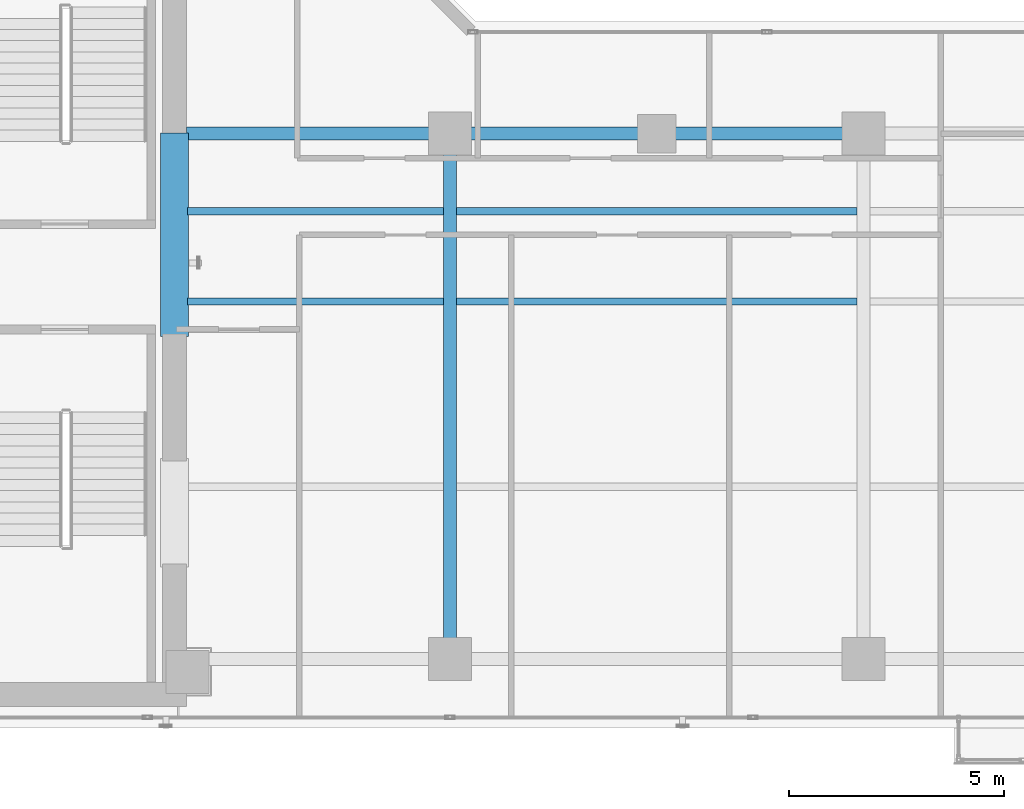
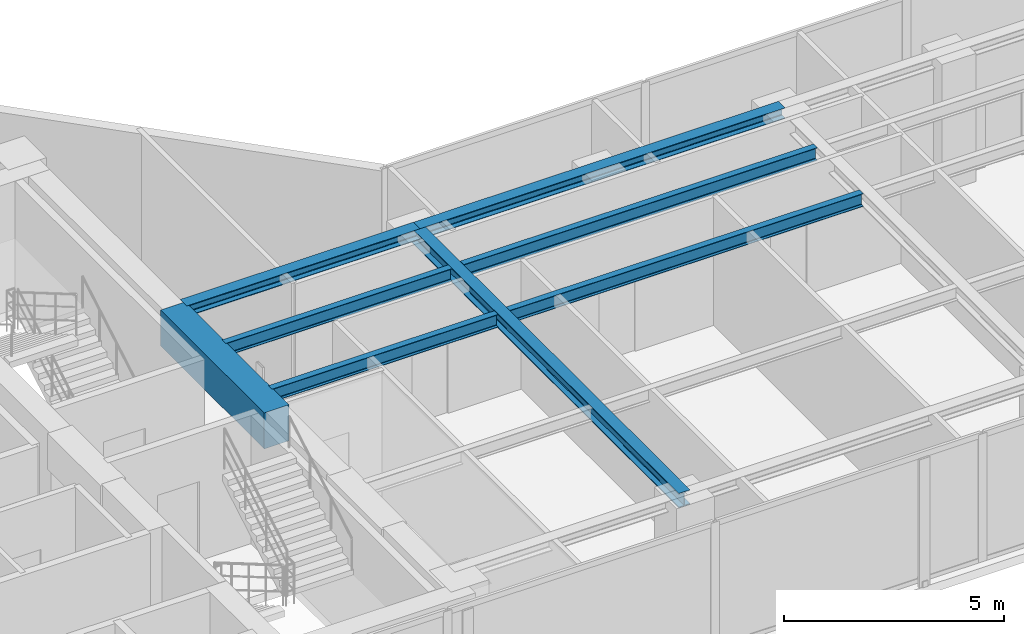
# One storey, part 5 of 23: 8 beams.
"""IFC4 building model written with IfcOpenShell, lengths in metres."""

from ifc_helpers import new_model, si_unit, direction, frame, origin, origin_2d, place, context, subcontext, project, spatial, rectangle, i_section, extrude, material, material_profile, profile_set, type_object, element, save


model = new_model("IFC4")

# Units and contexts
model_context = context("Model", 3, precision=1e-05, world=origin(), true_north=direction((0.0, 1.0)))
body_context = subcontext(model_context, "Body", "Model", "MODEL_VIEW")
ifc_project = project(units=[si_unit("LENGTHUNIT", "METRE"), si_unit("AREAUNIT", "SQUARE_METRE"), si_unit("VOLUMEUNIT", "CUBIC_METRE"), si_unit("PLANEANGLEUNIT", "RADIAN"), si_unit("MASSUNIT", "GRAM", prefix="KILO")], contexts=[model_context])

# Site, building, storey
site_placement = place(None, origin())
site = spatial("IfcSite", under=ifc_project, at=site_placement, CompositionType="ELEMENT")
building_placement = place(site_placement, origin())
building = spatial("IfcBuilding", under=site, at=building_placement, Name="Kolvaren Waterfront Exchange", CompositionType="ELEMENT")
storey_placement = place(building_placement, frame((0.0, 0.0, 212.10009765625)))
storey = spatial("IfcBuildingStorey", under=building, at=storey_placement, Name="L54", CompositionType="ELEMENT", Elevation=212.10009765625)

# Beams
ifc_material_1 = material(Name="Steel S355", Category="steel")
ifc_material_profile_1 = material_profile(ifc_material_1, i_section(OverallWidth=0.300048828125, OverallDepth=0.300048828125, WebThickness=0.010986328125, FlangeThickness=0.01904296875, FilletRadius=0.027099609375, at=origin_2d()), Name="HEB300")
ifc_profile_set_1 = profile_set([ifc_material_profile_1], Name="Steel S355")
beam_type_1 = type_object("IfcBeamType", Name="STR-BM-HEB300", PredefinedType="SPANDREL", material=ifc_profile_set_1)
beam_1_placement = place(storey_placement, frame((21.074951171875, 17.39990234375, 3.409912109375), z_axis=(1.0, 0.0, 0.0), x_axis=(0.0, 1.0, 0.0)))
element("IfcBeam", 1, at=beam_1_placement, inside=storey, type_object=beam_type_1, Name="L54 east-arm spandrel N1", PredefinedType="SPANDREL", context=body_context, shape_type="SweptSolid", body=[
    extrude(i_section(OverallWidth=0.300048828125, OverallDepth=0.300048828125, WebThickness=0.010986328125, FlangeThickness=0.01904296875, FilletRadius=0.027099609375, at=origin_2d()), origin(), (0.0, 0.0, 1.0), 6.125),
])
beam_2_placement = place(storey_placement, frame((27.199951171875, 17.39990234375, 3.409912109375), z_axis=(1.0, 0.0, 0.0), x_axis=(0.0, 1.0, 0.0)))
element("IfcBeam", 2, at=beam_2_placement, inside=storey, type_object=beam_type_1, Name="L54 east-arm spandrel N2", PredefinedType="SPANDREL", context=body_context, shape_type="SweptSolid", body=[
    extrude(i_section(OverallWidth=0.300048828125, OverallDepth=0.300048828125, WebThickness=0.010986328125, FlangeThickness=0.01904296875, FilletRadius=0.027099609375, at=origin_2d()), origin(), (0.0, 0.0, 1.0), 9.60009765625),
])
ifc_material_profile_2 = material_profile(ifc_material_1, i_section(OverallWidth=0.300048828125, OverallDepth=0.39990234375, WebThickness=0.013427734375, FlangeThickness=0.02392578125, FilletRadius=0.027099609375, at=origin_2d()), Name="HEB400")
ifc_profile_set_2 = profile_set([ifc_material_profile_2], Name="Steel S355")
beam_type_2 = type_object("IfcBeamType", Name="STR-BM-HEB400", PredefinedType="BEAM", material=ifc_profile_set_2)
beam_3_placement = place(storey_placement, frame((27.199951171875, 5.199951171875, 3.35986328125), z_axis=(0.0, 1.0, 0.0), x_axis=(-1.0, 0.0, 0.0)))
element("IfcBeam", 3, at=beam_3_placement, inside=storey, type_object=beam_type_2, Name="L54 east-arm transverse girder X27", PredefinedType="BEAM", context=body_context, shape_type="SweptSolid", body=[
    extrude(i_section(OverallWidth=0.300048828125, OverallDepth=0.39990234375, WebThickness=0.013427734375, FlangeThickness=0.02392578125, FilletRadius=0.027099609375, at=origin_2d()), origin(), (0.0, 0.0, 1.0), 12.199951171875),
])
ifc_material_profile_3 = material_profile(ifc_material_1, i_section(OverallWidth=0.169921875, OverallDepth=0.360107421875, WebThickness=0.008056640625, FlangeThickness=0.0126953125, FilletRadius=0.01806640625, at=origin_2d()), Name="IPE360")
ifc_profile_set_3 = profile_set([ifc_material_profile_3], Name="Steel S355")
beam_type_3 = type_object("IfcBeamType", Name="STR-BM-IPE360", PredefinedType="JOIST", material=ifc_profile_set_3)
for number, where, z_axis, x_axis, name in (
    (4, (21.10009765625, 13.5, 3.3798828125), (1.0, 0.0, 0.0), (0.0, 1.0, 0.0), "L54 east-arm composite joist 1A"),
    (5, (21.10009765625, 15.60009765625, 3.3798828125), (1.0, 0.0, 0.0), (0.0, 1.0, 0.0), "L54 east-arm composite joist 1C"),
):
    element("IfcBeam", number, at=place(storey_placement, frame(where, z_axis=z_axis, x_axis=x_axis)), inside=storey, type_object=beam_type_3, Name=name, PredefinedType="JOIST", context=body_context, shape_type="SweptSolid", body=[
        extrude(i_section(OverallWidth=0.169921875, OverallDepth=0.360107421875, WebThickness=0.008056640625, FlangeThickness=0.0126953125, FilletRadius=0.01806640625, at=origin_2d()), origin(), (0.0, 0.0, 1.0), 5.947998046875),
    ])
for number, where, z_axis, x_axis, name in (
    (6, (27.35205078125, 13.5, 3.3798828125), (1.0, 0.0, 0.0), (0.0, 1.0, 0.0), "L54 east-arm composite joist 2A"),
    (7, (27.35205078125, 15.60009765625, 3.3798828125), (1.0, 0.0, 0.0), (0.0, 1.0, 0.0), "L54 east-arm composite joist 2C"),
):
    element("IfcBeam", number, at=place(storey_placement, frame(where, z_axis=z_axis, x_axis=x_axis)), inside=storey, type_object=beam_type_3, Name=name, PredefinedType="JOIST", context=body_context, shape_type="SweptSolid", body=[
        extrude(i_section(OverallWidth=0.169921875, OverallDepth=0.360107421875, WebThickness=0.008056640625, FlangeThickness=0.0126953125, FilletRadius=0.01806640625, at=origin_2d()), origin(), (0.0, 0.0, 1.0), 9.2958984375),
    ])
ifc_material_2 = material(Name="Concrete C60/75", Category="concrete")
ifc_material_profile_4 = material_profile(ifc_material_2, rectangle(XDim=0.64990234375, YDim=1.0, at=origin_2d()), Name="RC-CB-1000x650")
ifc_profile_set_4 = profile_set([ifc_material_profile_4], Name="Concrete C60/75")
beam_type_4 = type_object("IfcBeamType", Name="STR-CB-1000", PredefinedType="SPANDREL", material=ifc_profile_set_4)
beam_4_placement = place(storey_placement, frame((20.800048828125, 12.68994140625, 3.059814453125), z_axis=(0.0, 1.0, 0.0), x_axis=(-1.0, 0.0, 0.0)))
element("IfcBeam", 8, at=beam_4_placement, inside=storey, type_object=beam_type_4, Name="L54 core coupling beam 2", PredefinedType="SPANDREL", context=body_context, shape_type="SweptSolid", body=[
    extrude(rectangle(XDim=0.64990234375, YDim=1.0, at=origin_2d()), origin(), (0.0, 0.0, 1.0), 4.719970703125),
])

save(model, "model.ifc")
